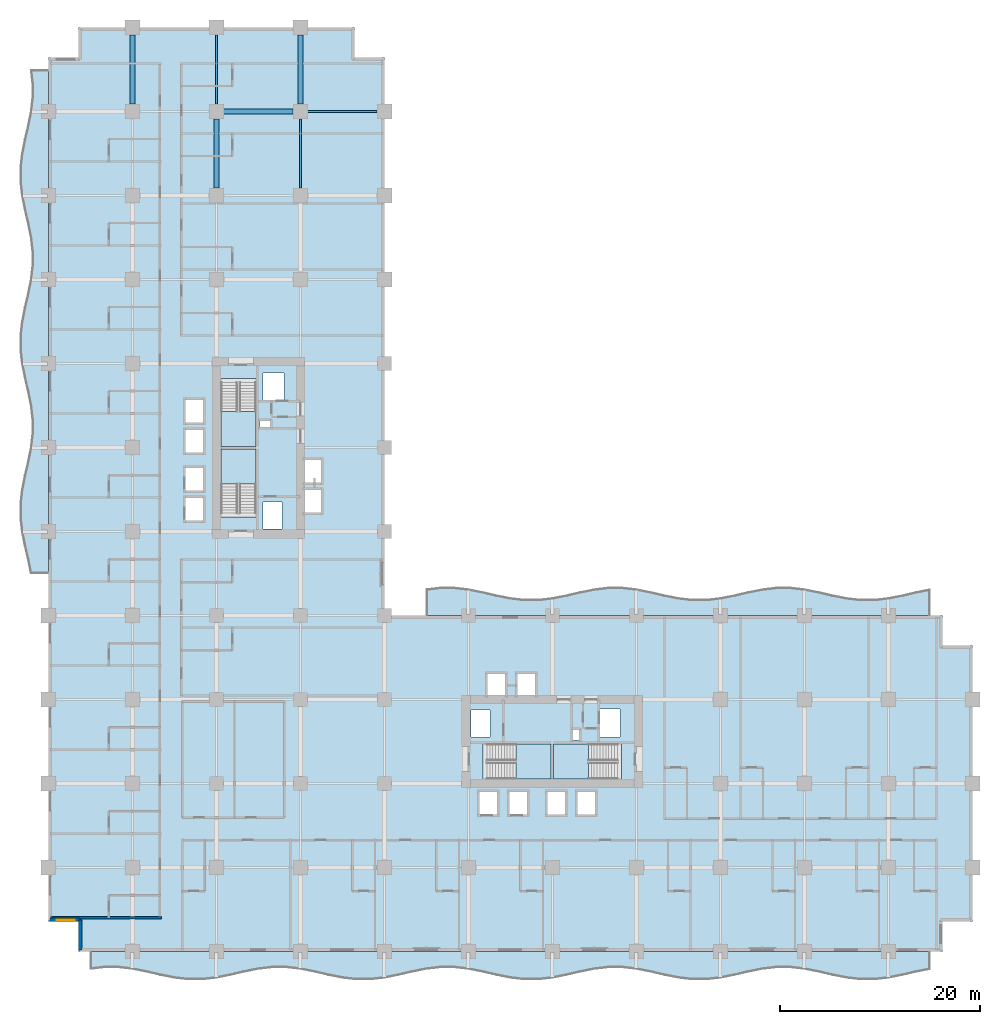
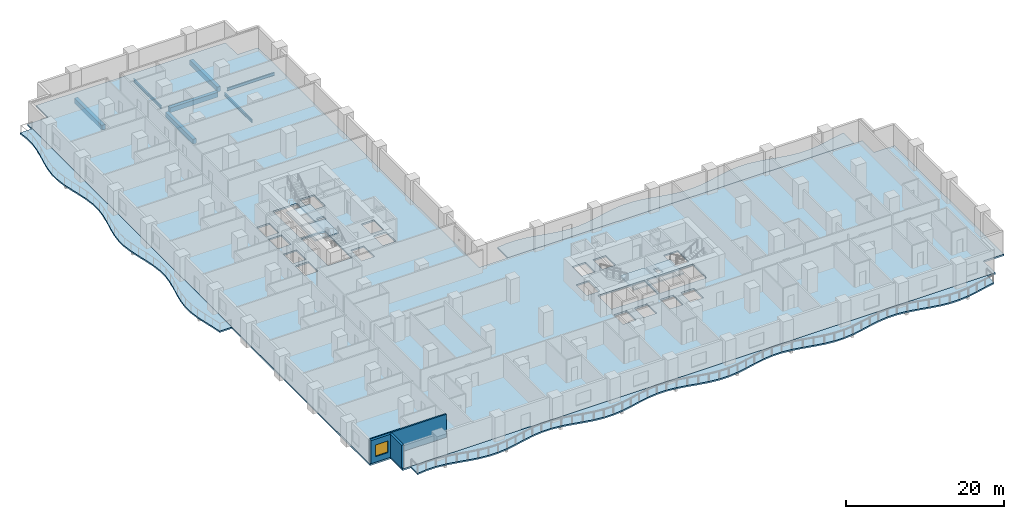
# One storey, part 3 of 20: 8 slabs, 7 beams, 3 walls, 1 window, 1 opening, 4 elements without a shape of their own.
"""IFC4 building model written with IfcOpenShell, lengths in metres."""

from ifc_helpers import new_model, si_unit, direction, frame, frame_2d, origin, origin_2d, place, context, subcontext, project, spatial, polyline, rectangle, i_section, outline, extrude, material, layer, layer_set, material_profile, profile_set, type_object, element, fill, aggregate, save


model = new_model("IFC4")

# Units and contexts
model_context = context("Model", 3, precision=1e-05, world=origin(), true_north=direction((0.0, 1.0)))
body_context = subcontext(model_context, "Body", "Model", "MODEL_VIEW")
ifc_project = project(units=[si_unit("LENGTHUNIT", "METRE"), si_unit("AREAUNIT", "SQUARE_METRE"), si_unit("VOLUMEUNIT", "CUBIC_METRE"), si_unit("PLANEANGLEUNIT", "RADIAN"), si_unit("MASSUNIT", "GRAM", prefix="KILO")], contexts=[model_context])

# Site, building, storey
site_placement = place(None, origin())
site = spatial("IfcSite", under=ifc_project, at=site_placement, CompositionType="ELEMENT")
building_placement = place(site_placement, origin())
building = spatial("IfcBuilding", under=site, at=building_placement, Name="Koriwani Terraces Tower", CompositionType="ELEMENT")
storey_placement = place(building_placement, frame((0.0, 0.0, 35.800048828125)))
storey = spatial("IfcBuildingStorey", under=building, at=storey_placement, Name="L07", CompositionType="ELEMENT", Elevation=35.800048828125)

# Beams
ifc_material_1 = material(Name="Concrete C50/60", Category="concrete")
ifc_material_profile_1 = material_profile(ifc_material_1, rectangle(XDim=0.5, YDim=0.75, at=origin_2d()), Name="Concrete C50/60", Category="LoadBearing")
ifc_profile_set_1 = profile_set([ifc_material_profile_1], Name="Concrete C50/60")
beam_type_1 = type_object("IfcBeamType", Name="BEAM_RC_GRID_500X750", PredefinedType="BEAM", material=ifc_profile_set_1)
for number, where, z_axis, x_axis, name in (
    (1, (17.530029296875, 84.0, -0.625), (1.0, 0.0, 0.0), (0.0, 1.0, 0.0), "L07 Grid Beam K (16.8-25.2m)"),
    (2, (8.39990234375, 84.72998046875, -0.625), (0.0, 1.0, 0.0), (-1.0, 0.0, 0.0), "L07 Grid Beam 2 (84.0-92.4m)"),
    (3, (16.800048828125, 76.330078125, -0.625), (0.0, 1.0, 0.0), (-1.0, 0.0, 0.0), "L07 Grid Beam 3 (75.6-84.0m)"),
    (4, (25.199951171875, 84.72998046875, -0.625), (0.0, 1.0, 0.0), (-1.0, 0.0, 0.0), "L07 Grid Beam 4 (84.0-92.4m)"),
):
    element("IfcBeam", number, at=place(storey_placement, frame(where, z_axis=z_axis, x_axis=x_axis)), inside=storey, type_object=beam_type_1, Name=name, PredefinedType="BEAM", context=body_context, shape_type="SweptSolid", body=[
        extrude(rectangle(XDim=0.5, YDim=0.75, at=origin_2d()), origin(), (0.0, 0.0, 1.0), 6.93994140625),
    ])
ifc_material_2 = material(Name="Steel ASTM A572 Grade 50", Category="steel")
ifc_material_profile_2 = material_profile(ifc_material_2, i_section(OverallWidth=0.19189453125, OverallDepth=0.462890625, WebThickness=0.010498046875, FlangeThickness=0.01611328125, at=origin_2d()), Name="Steel ASTM A572 Grade 50", Category="LoadBearing")
ifc_profile_set_2 = profile_set([ifc_material_profile_2], Name="Steel ASTM A572 Grade 50")
beam_type_2 = type_object("IfcBeamType", Name="STEEL_BEAM_W460X89", PredefinedType="BEAM", material=ifc_profile_set_2)
beam_placement = place(storey_placement, frame((25.929931640625, 84.0, -0.4814453125), z_axis=(1.0, 0.0, 0.0), x_axis=(0.0, 1.0, 0.0)))
element("IfcBeam", 5, at=beam_placement, inside=storey, type_object=beam_type_2, Name="L07 Grid Beam K (25.2-33.6m)", PredefinedType="BEAM", context=body_context, shape_type="SweptSolid", body=[
    extrude(i_section(OverallWidth=0.19189453125, OverallDepth=0.462890625, WebThickness=0.010498046875, FlangeThickness=0.01611328125, at=origin_2d()), origin(), (0.0, 0.0, 1.0), 6.940185546875),
])
for number, where, z_axis, x_axis, name in (
    (6, (16.800048828125, 84.72998046875, -0.4814453125), (0.0, 1.0, 0.0), (-1.0, 0.0, 0.0), "L07 Grid Beam 3 (84.0-92.4m)"),
    (7, (25.199951171875, 76.330078125, -0.4814453125), (0.0, 1.0, 0.0), (-1.0, 0.0, 0.0), "L07 Grid Beam 4 (75.6-84.0m)"),
):
    element("IfcBeam", number, at=place(storey_placement, frame(where, z_axis=z_axis, x_axis=x_axis)), inside=storey, type_object=beam_type_2, Name=name, PredefinedType="BEAM", context=body_context, shape_type="SweptSolid", body=[
        extrude(i_section(OverallWidth=0.19189453125, OverallDepth=0.462890625, WebThickness=0.010498046875, FlangeThickness=0.01611328125, at=origin_2d()), origin(), (0.0, 0.0, 1.0), 6.93994140625),
    ])

# Slabs
ifc_material_3 = material(Name="Concrete C40/50", Category="concrete")
ifc_layer_1 = layer(ifc_material_3, 0.219970703125, Name="Concrete C40/50")
ifc_layer_set_1 = layer_set([ifc_layer_1], Name="Concrete C40/50")
slab_type_1 = type_object("IfcSlabType", Name="SLAB_BALCONY_220", PredefinedType="FLOOR", material=ifc_layer_set_1)
slab_1_placement = place(storey_placement, frame((0.0, 0.0, -0.219970703125)))
element("IfcSlab", 8, at=slab_1_placement, inside=storey, type_object=slab_type_1, Name="L07 Quilted Circular-Arc Balcony (S)", PredefinedType="FLOOR", context=body_context, shape_type="SweptSolid", body=[
    extrude(outline(polyline([(4.199951171875, 0.0), (5.60009765625, 0.0), (7.0, 0.0), (8.39990234375, 0.0), (9.800048828125, 0.0), (11.199951171875, 0.0), (12.60009765625, 0.0), (14.0, 0.0), (15.39990234375, 0.0), (16.800048828125, 0.0), (18.199951171875, 0.0), (19.60009765625, 0.0), (21.0, 0.0), (22.39990234375, 0.0), (23.800048828125, 0.0), (25.199951171875, 0.0), (26.60009765625, 0.0), (28.0, 0.0), (29.39990234375, 0.0), (30.800048828125, 0.0), (32.199951171875, 0.0), (33.60009765625, 0.0), (35.0, 0.0), (36.39990234375, 0.0), (37.800048828125, 0.0), (39.199951171875, 0.0), (40.60009765625, 0.0), (42.0, 0.0), (43.39990234375, 0.0), (44.800048828125, 0.0), (46.199951171875, 0.0), (47.60009765625, 0.0), (49.0, 0.0), (50.39990234375, 0.0), (51.800048828125, 0.0), (53.199951171875, 0.0), (54.60009765625, 0.0), (56.0, 0.0), (57.39990234375, 0.0), (58.800048828125, 0.0), (60.199951171875, 0.0), (61.60009765625, 0.0), (63.0, 0.0), (64.39990234375, 0.0), (65.800048828125, 0.0), (67.199951171875, 0.0), (68.60009765625, 0.0), (70.0, 0.0), (71.39990234375, 0.0), (72.800048828125, 0.0), (74.199951171875, 0.0), (75.60009765625, 0.0), (77.0, 0.0), (78.39990234375, 0.0), (79.800048828125, 0.0), (81.199951171875, 0.0), (82.60009765625, 0.0), (84.0, 0.0), (85.39990234375, 0.0), (86.800048828125, 0.0), (88.199951171875, 0.0), (88.199951171875, -1.783203125), (86.800048828125, -2.063232421875), (85.39990234375, -2.38671875), (84.0, -2.6669921875), (82.60009765625, -2.82861328125), (81.199951171875, -2.82861328125), (79.800048828125, -2.6669921875), (78.39990234375, -2.38671875), (77.0, -2.063232421875), (75.60009765625, -1.783203125), (74.199951171875, -1.621337890625), (72.800048828125, -1.621337890625), (71.39990234375, -1.783203125), (70.0, -2.063232421875), (68.60009765625, -2.38671875), (67.199951171875, -2.6669921875), (65.800048828125, -2.82861328125), (64.39990234375, -2.82861328125), (63.0, -2.6669921875), (61.60009765625, -2.38671875), (60.199951171875, -2.063232421875), (58.800048828125, -1.783203125), (57.39990234375, -1.621337890625), (56.0, -1.621337890625), (54.60009765625, -1.783203125), (53.199951171875, -2.063232421875), (51.800048828125, -2.38671875), (50.39990234375, -2.6669921875), (49.0, -2.82861328125), (47.60009765625, -2.82861328125), (46.199951171875, -2.6669921875), (44.800048828125, -2.38671875), (43.39990234375, -2.063232421875), (42.0, -1.783203125), (40.60009765625, -1.621337890625), (39.199951171875, -1.621337890625), (37.800048828125, -1.783203125), (36.39990234375, -2.063232421875), (35.0, -2.38671875), (33.60009765625, -2.6669921875), (32.199951171875, -2.82861328125), (30.800048828125, -2.82861328125), (29.39990234375, -2.6669921875), (28.0, -2.38671875), (26.60009765625, -2.063232421875), (25.199951171875, -1.783203125), (23.800048828125, -1.621337890625), (22.39990234375, -1.621337890625), (21.0, -1.783203125), (19.60009765625, -2.063232421875), (18.199951171875, -2.38671875), (16.800048828125, -2.6669921875), (15.39990234375, -2.82861328125), (14.0, -2.82861328125), (12.60009765625, -2.6669921875), (11.199951171875, -2.38671875), (9.800048828125, -2.063232421875), (8.39990234375, -1.783203125), (7.0, -1.621337890625), (5.60009765625, -1.621337890625), (4.199951171875, -1.783203125), (4.199951171875, 0.0)])), origin(), (0.0, 0.0, 1.0), 0.219970703125),
])
slab_2_placement = place(storey_placement, frame((0.0, 0.0, -0.219970703125)))
element("IfcSlab", 9, at=slab_2_placement, inside=storey, type_object=slab_type_1, Name="L07 Quilted Circular-Arc Balcony (W)", PredefinedType="FLOOR", context=body_context, shape_type="SweptSolid", body=[
    extrude(outline(polyline([(0.0, 37.800048828125), (0.0, 39.199951171875), (0.0, 40.60009765625), (0.0, 42.0), (0.0, 43.39990234375), (0.0, 44.800048828125), (0.0, 46.199951171875), (0.0, 47.60009765625), (0.0, 49.0), (0.0, 50.39990234375), (0.0, 51.800048828125), (0.0, 53.199951171875), (0.0, 54.60009765625), (0.0, 56.0), (0.0, 57.39990234375), (0.0, 58.800048828125), (0.0, 60.199951171875), (0.0, 61.60009765625), (0.0, 63.0), (0.0, 64.39990234375), (0.0, 65.800048828125), (0.0, 67.199951171875), (0.0, 68.60009765625), (0.0, 70.0), (0.0, 71.39990234375), (0.0, 72.800048828125), (0.0, 74.199951171875), (0.0, 75.60009765625), (0.0, 77.0), (0.0, 78.39990234375), (0.0, 79.800048828125), (0.0, 81.199951171875), (0.0, 82.60009765625), (0.0, 84.0), (0.0, 85.39990234375), (0.0, 86.800048828125), (0.0, 88.199951171875), (-1.783203125, 88.199951171875), (-1.621337890625, 86.800048828125), (-1.621337890625, 85.39990234375), (-1.783203125, 84.0), (-2.063232421875, 82.60009765625), (-2.38671875, 81.199951171875), (-2.6669921875, 79.800048828125), (-2.82861328125, 78.39990234375), (-2.82861328125, 77.0), (-2.6669921875, 75.60009765625), (-2.38671875, 74.199951171875), (-2.063232421875, 72.800048828125), (-1.783203125, 71.39990234375), (-1.621337890625, 70.0), (-1.621337890625, 68.60009765625), (-1.783203125, 67.199951171875), (-2.063232421875, 65.800048828125), (-2.38671875, 64.39990234375), (-2.6669921875, 63.0), (-2.82861328125, 61.60009765625), (-2.82861328125, 60.199951171875), (-2.6669921875, 58.800048828125), (-2.38671875, 57.39990234375), (-2.063232421875, 56.0), (-1.783203125, 54.60009765625), (-1.621337890625, 53.199951171875), (-1.621337890625, 51.800048828125), (-1.783203125, 50.39990234375), (-2.063232421875, 49.0), (-2.38671875, 47.60009765625), (-2.6669921875, 46.199951171875), (-2.82861328125, 44.800048828125), (-2.82861328125, 43.39990234375), (-2.6669921875, 42.0), (-2.38671875, 40.60009765625), (-2.063232421875, 39.199951171875), (-1.783203125, 37.800048828125), (0.0, 37.800048828125)])), origin(), (0.0, 0.0, 1.0), 0.219970703125),
])
slab_3_placement = place(storey_placement, frame((0.0, 0.0, -0.219970703125)))
element("IfcSlab", 10, at=slab_3_placement, inside=storey, type_object=slab_type_1, Name="L07 Quilted Circular-Arc Balcony (NE)", PredefinedType="FLOOR", context=body_context, shape_type="SweptSolid", body=[
    extrude(outline(polyline([(88.199951171875, 33.60009765625), (86.800048828125, 33.60009765625), (85.39990234375, 33.60009765625), (84.0, 33.60009765625), (82.60009765625, 33.60009765625), (81.199951171875, 33.60009765625), (79.800048828125, 33.60009765625), (78.39990234375, 33.60009765625), (77.0, 33.60009765625), (75.60009765625, 33.60009765625), (74.199951171875, 33.60009765625), (72.800048828125, 33.60009765625), (71.39990234375, 33.60009765625), (70.0, 33.60009765625), (68.60009765625, 33.60009765625), (67.199951171875, 33.60009765625), (65.800048828125, 33.60009765625), (64.39990234375, 33.60009765625), (63.0, 33.60009765625), (61.60009765625, 33.60009765625), (60.199951171875, 33.60009765625), (58.800048828125, 33.60009765625), (57.39990234375, 33.60009765625), (56.0, 33.60009765625), (54.60009765625, 33.60009765625), (53.199951171875, 33.60009765625), (51.800048828125, 33.60009765625), (50.39990234375, 33.60009765625), (49.0, 33.60009765625), (47.60009765625, 33.60009765625), (46.199951171875, 33.60009765625), (44.800048828125, 33.60009765625), (43.39990234375, 33.60009765625), (42.0, 33.60009765625), (40.60009765625, 33.60009765625), (39.199951171875, 33.60009765625), (37.800048828125, 33.60009765625), (37.800048828125, 36.266845703125), (39.199951171875, 36.4287109375), (40.60009765625, 36.4287109375), (42.0, 36.266845703125), (43.39990234375, 35.98681640625), (44.800048828125, 35.6630859375), (46.199951171875, 35.383056640625), (47.60009765625, 35.22119140625), (49.0, 35.22119140625), (50.39990234375, 35.383056640625), (51.800048828125, 35.6630859375), (53.199951171875, 35.98681640625), (54.60009765625, 36.266845703125), (56.0, 36.4287109375), (57.39990234375, 36.4287109375), (58.800048828125, 36.266845703125), (60.199951171875, 35.98681640625), (61.60009765625, 35.6630859375), (63.0, 35.383056640625), (64.39990234375, 35.22119140625), (65.800048828125, 35.22119140625), (67.199951171875, 35.383056640625), (68.60009765625, 35.6630859375), (70.0, 35.98681640625), (71.39990234375, 36.266845703125), (72.800048828125, 36.4287109375), (74.199951171875, 36.4287109375), (75.60009765625, 36.266845703125), (77.0, 35.98681640625), (78.39990234375, 35.6630859375), (79.800048828125, 35.383056640625), (81.199951171875, 35.22119140625), (82.60009765625, 35.22119140625), (84.0, 35.383056640625), (85.39990234375, 35.6630859375), (86.800048828125, 35.98681640625), (88.199951171875, 36.266845703125), (88.199951171875, 33.60009765625)])), origin(), (0.0, 0.0, 1.0), 0.219970703125),
])

# Stair, slab
stair_type = type_object("IfcStairType", Name="STAIR_CORE_DOGLEG_1650", PredefinedType="TWO_STRAIGHT_RUN_STAIR", material=ifc_material_3)
stair_1_placement = place(storey_placement, origin())
stair_1 = element("IfcStair", 11, at=stair_1_placement, inside=storey, type_object=stair_type, Name="L07 West Core Exit Stair 1", PredefinedType="HALF_TURN_STAIR")
ifc_layer_2 = layer(ifc_material_3, 0.199951171875, Name="Concrete C40/50")
ifc_layer_set_2 = layer_set([ifc_layer_2], Name="Concrete C40/50")
slab_type_2 = type_object("IfcSlabType", Name="SLAB_STAIR_LANDING_200", PredefinedType="LANDING", material=ifc_layer_set_2)
slab_4_placement = place(storey_placement, frame((0.0, 0.0, 1.699951171875)))
slab_4 = element("IfcSlab", 12, at=slab_4_placement, type_object=slab_type_2, Name="ST-W1 landing 1", PredefinedType="LANDING", context=body_context, shape_type="SweptSolid", body=[
    extrude(outline(polyline([(20.75, 46.75), (20.75, 50.25), (17.25, 50.25), (17.25, 46.75), (20.75, 46.75)])), origin(), (0.0, 0.0, 1.0), 0.199951171875),
])
aggregate(stair_1, [slab_4])

stair_2_placement = place(storey_placement, origin())
stair_2 = element("IfcStair", 13, at=stair_2_placement, inside=storey, type_object=stair_type, Name="L07 West Core Exit Stair 2", PredefinedType="HALF_TURN_STAIR")
slab_5_placement = place(storey_placement, frame((0.0, 0.0, 1.699951171875)))
slab_5 = element("IfcSlab", 14, at=slab_5_placement, type_object=slab_type_2, Name="ST-W2 landing 1", PredefinedType="LANDING", context=body_context, shape_type="SweptSolid", body=[
    extrude(outline(polyline([(17.25, 54.0), (17.25, 50.5), (20.75, 50.5), (20.75, 54.0), (17.25, 54.0)])), origin(), (0.0, 0.0, 1.0), 0.199951171875),
])
aggregate(stair_2, [slab_5])

stair_3_placement = place(storey_placement, origin())
stair_3 = element("IfcStair", 15, at=stair_3_placement, inside=storey, type_object=stair_type, Name="L07 East Core Exit Stair 1", PredefinedType="HALF_TURN_STAIR")
slab_6_placement = place(storey_placement, frame((0.0, 0.0, 1.699951171875)))
slab_6 = element("IfcSlab", 16, at=slab_6_placement, type_object=slab_type_2, Name="ST-E1 landing 1", PredefinedType="LANDING", context=body_context, shape_type="SweptSolid", body=[
    extrude(outline(polyline([(46.75, 17.25), (50.25, 17.25), (50.25, 20.75), (46.75, 20.75), (46.75, 17.25)])), origin(), (0.0, 0.0, 1.0), 0.199951171875),
])
aggregate(stair_3, [slab_6])

stair_4_placement = place(storey_placement, origin())
stair_4 = element("IfcStair", 17, at=stair_4_placement, inside=storey, type_object=stair_type, Name="L07 East Core Exit Stair 2", PredefinedType="HALF_TURN_STAIR")
slab_7_placement = place(storey_placement, frame((0.0, 0.0, 1.699951171875)))
slab_7 = element("IfcSlab", 18, at=slab_7_placement, type_object=slab_type_2, Name="ST-E2 landing 1", PredefinedType="LANDING", context=body_context, shape_type="SweptSolid", body=[
    extrude(outline(polyline([(54.0, 20.75), (50.5, 20.75), (50.5, 17.25), (54.0, 17.25), (54.0, 20.75)])), origin(), (0.0, 0.0, 1.0), 0.199951171875),
])
aggregate(stair_4, [slab_7])

# Slab
ifc_layer_3 = layer(ifc_material_3, 0.25, Name="Concrete C40/50")
ifc_layer_set_3 = layer_set([ifc_layer_3], Name="Concrete C40/50")
slab_type_3 = type_object("IfcSlabType", Name="SLAB_TOWER_TYP_250", PredefinedType="FLOOR", material=ifc_layer_set_3)
slab_8_placement = place(storey_placement, frame((0.0, 0.0, -0.25)))
element("IfcSlab", 19, at=slab_8_placement, inside=storey, type_object=slab_type_3, Name="L07 Structural Floor Slab", PredefinedType="FLOOR", context=body_context, shape_type="SweptSolid", body=[
    extrude(outline(polyline([(3.0, 0.0), (89.39990234375, 0.0), (89.39990234375, 3.0), (92.39990234375, 3.0), (92.39990234375, 30.60009765625), (89.39990234375, 30.60009765625), (89.39990234375, 33.60009765625), (33.60009765625, 33.60009765625), (33.60009765625, 89.39990234375), (30.60009765625, 89.39990234375), (30.60009765625, 92.39990234375), (3.0, 92.39990234375), (3.0, 89.39990234375), (0.0, 89.39990234375), (0.0, 3.0), (3.0, 3.0), (3.0, 0.0)]), holes=[polyline([(17.25, 43.4599609375), (20.75, 43.4599609375), (20.75, 50.25), (17.25, 50.25), (17.25, 43.4599609375)]), polyline([(17.25, 50.5), (20.75, 50.5), (20.75, 57.2900390625), (17.25, 57.2900390625), (17.25, 50.5)]), polyline([(43.4599609375, 17.25), (50.25, 17.25), (50.25, 20.75), (43.4599609375, 20.75), (43.4599609375, 17.25)]), polyline([(50.5, 17.25), (57.2900390625, 17.25), (57.2900390625, 20.75), (50.5, 20.75), (50.5, 17.25)]), polyline([(13.64990234375, 43.050048828125), (15.550048828125, 43.050048828125), (15.550048828125, 45.449951171875), (13.64990234375, 45.449951171875), (13.64990234375, 43.050048828125)]), polyline([(13.64990234375, 46.050048828125), (15.550048828125, 46.050048828125), (15.550048828125, 48.449951171875), (13.64990234375, 48.449951171875), (13.64990234375, 46.050048828125)]), polyline([(43.050048828125, 13.64990234375), (44.949951171875, 13.64990234375), (44.949951171875, 16.050048828125), (43.050048828125, 16.050048828125), (43.050048828125, 13.64990234375)]), polyline([(46.050048828125, 13.64990234375), (47.949951171875, 13.64990234375), (47.949951171875, 16.050048828125), (46.050048828125, 16.050048828125), (46.050048828125, 13.64990234375)]), polyline([(13.64990234375, 49.85009765625), (15.550048828125, 49.85009765625), (15.550048828125, 52.25), (13.64990234375, 52.25), (13.64990234375, 49.85009765625)]), polyline([(13.64990234375, 52.85009765625), (15.550048828125, 52.85009765625), (15.550048828125, 55.25), (13.64990234375, 55.25), (13.64990234375, 52.85009765625)]), polyline([(49.85009765625, 13.64990234375), (51.75, 13.64990234375), (51.75, 16.050048828125), (49.85009765625, 16.050048828125), (49.85009765625, 13.64990234375)]), polyline([(52.85009765625, 13.64990234375), (54.75, 13.64990234375), (54.75, 16.050048828125), (52.85009765625, 16.050048828125), (52.85009765625, 13.64990234375)]), polyline([(25.449951171875, 43.85009765625), (27.35009765625, 43.85009765625), (27.35009765625, 46.25), (25.449951171875, 46.25), (25.449951171875, 43.85009765625)]), polyline([(25.449951171875, 46.85009765625), (27.35009765625, 46.85009765625), (27.35009765625, 49.25), (25.449951171875, 49.25), (25.449951171875, 46.85009765625)]), polyline([(43.85009765625, 25.449951171875), (45.75, 25.449951171875), (45.75, 27.85009765625), (43.85009765625, 27.85009765625), (43.85009765625, 25.449951171875)]), polyline([(46.85009765625, 25.449951171875), (48.75, 25.449951171875), (48.75, 27.85009765625), (46.85009765625, 27.85009765625), (46.85009765625, 25.449951171875)]), polyline([(21.449951171875, 55.050048828125), (23.550048828125, 55.050048828125), (23.550048828125, 57.85009765625), (21.449951171875, 57.85009765625), (21.449951171875, 55.050048828125)]), polyline([(55.050048828125, 21.449951171875), (57.14990234375, 21.449951171875), (57.14990234375, 24.25), (55.050048828125, 24.25), (55.050048828125, 21.449951171875)]), polyline([(21.449951171875, 42.25), (23.35009765625, 42.25), (23.35009765625, 44.949951171875), (21.449951171875, 44.949951171875), (21.449951171875, 42.25)]), polyline([(42.25, 21.449951171875), (44.14990234375, 21.449951171875), (44.14990234375, 24.14990234375), (42.25, 24.14990234375), (42.25, 21.449951171875)]), polyline([(21.14990234375, 52.419921875), (22.219970703125, 52.419921875), (22.219970703125, 53.179931640625), (21.14990234375, 53.179931640625), (21.14990234375, 52.419921875)]), polyline([(52.419921875, 21.14990234375), (53.179931640625, 21.14990234375), (53.179931640625, 22.219970703125), (52.419921875, 22.219970703125), (52.419921875, 21.14990234375)])]), origin(), (0.0, 0.0, 1.0), 0.25),
])

# Walls
ifc_material_4 = material(Name="Autoclaved Cellular Concrete Blockwork", Category="masonry")
ifc_layer_4 = layer(ifc_material_4, 0.219970703125, Name="Autoclaved Cellular Concrete Blockwork")
ifc_layer_set_4 = layer_set([ifc_layer_4], Name="Autoclaved Cellular Concrete Blockwork")
wall_type_1 = type_object("IfcWallType", Name="WALL_DEMISING_220", PredefinedType="PARTITIONING", material=ifc_layer_set_4)
wall_1_placement = place(storey_placement, frame((0.199951171875, 3.39990234375, 0.0), z_axis=(0.0, 0.0, 1.0), x_axis=(1.0, 0.0, 0.0)))
element("IfcWall", 20, at=wall_1_placement, inside=storey, type_object=wall_type_1, Name="L07 Interior Wall WDEM-L07-NW-0", PredefinedType="PARTITIONING", context=body_context, shape_type="SweptSolid", body=[
    extrude(rectangle(XDim=11.130126953125, YDim=0.219970703125, at=frame_2d((5.56494140625, 0.0))), origin(), (0.0, 0.0, 1.0), 3.550048828125),
])
ifc_layer_5 = layer(ifc_material_1, 0.35009765625, Name="Concrete C50/60")
ifc_layer_set_5 = layer_set([ifc_layer_5], Name="Concrete C50/60")
wall_type_2 = type_object("IfcWallType", Name="WALL_EXT_BRUTALIST_350", PredefinedType="STANDARD", material=ifc_layer_set_5)
wall_2_placement = place(storey_placement, frame((3.175048828125, 0.175048828125, 0.0), z_axis=(0.0, 0.0, 1.0), x_axis=(0.0, 1.0, 0.0)))
element("IfcWall", 21, at=wall_2_placement, inside=storey, type_object=wall_type_2, Name="L07 Fair-Faced Brutalist Exterior Wall (N0)", PredefinedType="STANDARD", context=body_context, shape_type="SweptSolid", body=[
    extrude(rectangle(XDim=3.0, YDim=0.35009765625, at=frame_2d((1.5, 0.0))), origin(), (0.0, 0.0, 1.0), 3.550048828125),
])

# Wall, opening, window
wall_3_placement = place(storey_placement, frame((3.175048828125, 3.175048828125, 0.0), z_axis=(0.0, 0.0, 1.0), x_axis=(-1.0, 0.0, 0.0)))
wall_3 = element("IfcWall", 22, at=wall_3_placement, inside=storey, type_object=wall_type_2, Name="L07 Fair-Faced Brutalist Exterior Wall (N1)", PredefinedType="STANDARD", context=body_context, shape_type="SweptSolid", body=[
    extrude(rectangle(XDim=3.0, YDim=0.35009765625, at=frame_2d((1.5, 0.0))), origin(), (0.0, 0.0, 1.0), 3.550048828125),
])
opening_placement = place(wall_3_placement, frame((0.5224609375, 0.0, 0.85009765625)))
opening = element("IfcOpeningElement", 23, at=opening_placement, cuts=wall_3, Name="Opening W-04", PredefinedType="OPENING", context=body_context, shape_type="SweptSolid", body=[
    extrude(rectangle(XDim=1.800048828125, YDim=1.800048828125, at=frame_2d((0.89990234375, 0.89990234375))), frame((0.0, 0.18505859375, 0.0), z_axis=(0.0, -1.0, 0.0), x_axis=(1.0, 0.0, 0.0)), (0.0, 0.0, 1.0), 0.3701171875),
])
ifc_material_5 = material(Name="Tempered Laminated Low-E Glass", Category="glass")
window_type = type_object("IfcWindowType", Name="WIN_RES_BED_1800X1800", PartitioningType="DOUBLE_PANEL_VERTICAL", PredefinedType="WINDOW", material=ifc_material_5)
window_placement = place(opening_placement, origin())
window = element("IfcWindow", 24, at=window_placement, inside=storey, type_object=window_type, Name="L07 Exterior Window (N1-R37)", OverallHeight=1.800048828125, OverallWidth=1.800048828125, PartitioningType="SINGLE_PANEL", PredefinedType="WINDOW", context=body_context, shape_type="SweptSolid", body=[
    extrude(rectangle(XDim=1.800048828125, YDim=1.800048828125, at=frame_2d((0.89990234375, 0.89990234375))), frame((0.0, 0.030029296875, 0.0), z_axis=(0.0, -1.0, 0.0), x_axis=(1.0, 0.0, 0.0)), (0.0, 0.0, 1.0), 0.06005859375),
])
fill(opening, window)

save(model, "model.ifc")
